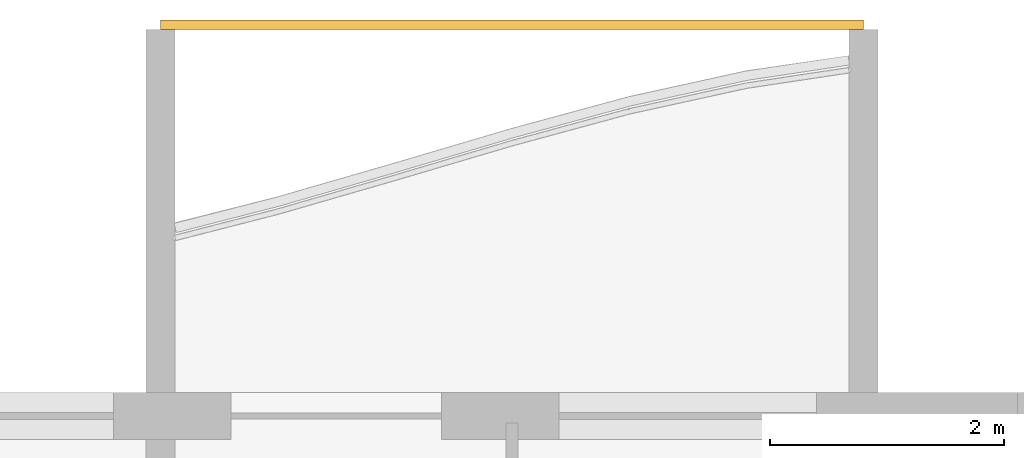
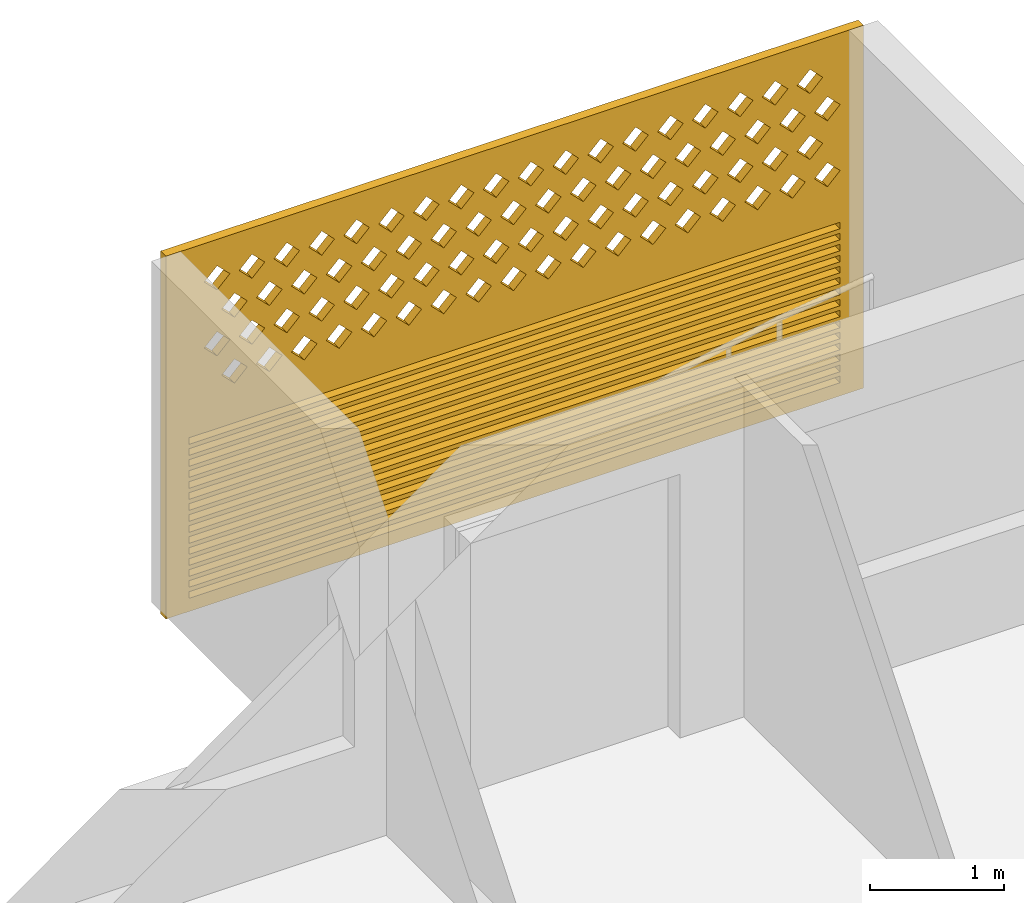
# One storey, part 27 of 27: 1 covering.
"""IFC4 building model written with IfcOpenShell, lengths in metres."""

from ifc_helpers import new_model, si_unit, direction, frame, origin, place, context, subcontext, project, spatial, polyline, outline, extrude, source, transform, mapped, material, material_profile, profile_set, type_object, element, save


model = new_model("IFC4")

# Units and contexts
model_context = context("Model", 3, precision=1e-05, world=origin(), true_north=direction((0.0, 1.0)))
body_context = subcontext(model_context, "Body", "Model", "MODEL_VIEW")
ifc_project = project(units=[si_unit("LENGTHUNIT", "METRE"), si_unit("AREAUNIT", "SQUARE_METRE"), si_unit("VOLUMEUNIT", "CUBIC_METRE"), si_unit("PLANEANGLEUNIT", "RADIAN"), si_unit("MASSUNIT", "GRAM", prefix="KILO")], contexts=[model_context])

# Site, building, storey
site_placement = place(None, origin())
site = spatial("IfcSite", under=ifc_project, at=site_placement, CompositionType="ELEMENT")
building_placement = place(site_placement, origin())
building = spatial("IfcBuilding", under=site, at=building_placement, Name="Poui Terraces", CompositionType="ELEMENT")
storey_placement = place(building_placement, frame((0.0, 0.0, 208.199951171875)))
storey = spatial("IfcBuildingStorey", under=building, at=storey_placement, Name="L58", CompositionType="ELEMENT", Elevation=208.199951171875)

# Covering
ifc_material = material(Name="Terracotta screen", Category="masonry")
ifc_material_profile = material_profile(ifc_material, outline(polyline([(-3.0, -1.64990234375), (3.0, -1.64990234375), (3.0, 1.64990234375), (-3.0, 1.64990234375), (-3.0, -1.64990234375)]), holes=[polyline([(-2.800048828125, 0.39990234375), (-2.68994140625, 0.2900390625), (-2.580078125, 0.39990234375), (-2.68994140625, 0.510009765625), (-2.800048828125, 0.39990234375)]), polyline([(-2.5, 0.39990234375), (-2.389892578125, 0.2900390625), (-2.280029296875, 0.39990234375), (-2.389892578125, 0.510009765625), (-2.5, 0.39990234375)]), polyline([(-2.199951171875, 0.39990234375), (-2.090087890625, 0.2900390625), (-1.97998046875, 0.39990234375), (-2.090087890625, 0.510009765625), (-2.199951171875, 0.39990234375)]), polyline([(-1.89990234375, 0.39990234375), (-1.7900390625, 0.2900390625), (-1.679931640625, 0.39990234375), (-1.7900390625, 0.510009765625), (-1.89990234375, 0.39990234375)]), polyline([(-1.60009765625, 0.39990234375), (-1.489990234375, 0.2900390625), (-1.3798828125, 0.39990234375), (-1.489990234375, 0.510009765625), (-1.60009765625, 0.39990234375)]), polyline([(-1.300048828125, 0.39990234375), (-1.18994140625, 0.2900390625), (-1.080078125, 0.39990234375), (-1.18994140625, 0.510009765625), (-1.300048828125, 0.39990234375)]), polyline([(-1.0, 0.39990234375), (-0.889892578125, 0.2900390625), (-0.780029296875, 0.39990234375), (-0.889892578125, 0.510009765625), (-1.0, 0.39990234375)]), polyline([(-0.699951171875, 0.39990234375), (-0.590087890625, 0.2900390625), (-0.47998046875, 0.39990234375), (-0.590087890625, 0.510009765625), (-0.699951171875, 0.39990234375)]), polyline([(-0.39990234375, 0.39990234375), (-0.2900390625, 0.2900390625), (-0.179931640625, 0.39990234375), (-0.2900390625, 0.510009765625), (-0.39990234375, 0.39990234375)]), polyline([(-0.10009765625, 0.39990234375), (0.010009765625, 0.2900390625), (0.1201171875, 0.39990234375), (0.010009765625, 0.510009765625), (-0.10009765625, 0.39990234375)]), polyline([(0.199951171875, 0.39990234375), (0.31005859375, 0.2900390625), (0.419921875, 0.39990234375), (0.31005859375, 0.510009765625), (0.199951171875, 0.39990234375)]), polyline([(0.5, 0.39990234375), (0.610107421875, 0.2900390625), (0.719970703125, 0.39990234375), (0.610107421875, 0.510009765625), (0.5, 0.39990234375)]), polyline([(0.800048828125, 0.39990234375), (0.909912109375, 0.2900390625), (1.02001953125, 0.39990234375), (0.909912109375, 0.510009765625), (0.800048828125, 0.39990234375)]), polyline([(1.10009765625, 0.39990234375), (1.2099609375, 0.2900390625), (1.320068359375, 0.39990234375), (1.2099609375, 0.510009765625), (1.10009765625, 0.39990234375)]), polyline([(1.39990234375, 0.39990234375), (1.510009765625, 0.2900390625), (1.6201171875, 0.39990234375), (1.510009765625, 0.510009765625), (1.39990234375, 0.39990234375)]), polyline([(1.699951171875, 0.39990234375), (1.81005859375, 0.2900390625), (1.919921875, 0.39990234375), (1.81005859375, 0.510009765625), (1.699951171875, 0.39990234375)]), polyline([(2.0, 0.39990234375), (2.110107421875, 0.2900390625), (2.219970703125, 0.39990234375), (2.110107421875, 0.510009765625), (2.0, 0.39990234375)]), polyline([(2.300048828125, 0.39990234375), (2.409912109375, 0.2900390625), (2.52001953125, 0.39990234375), (2.409912109375, 0.510009765625), (2.300048828125, 0.39990234375)]), polyline([(-2.64990234375, 0.699951171875), (-2.5400390625, 0.590087890625), (-2.429931640625, 0.699951171875), (-2.5400390625, 0.81005859375), (-2.64990234375, 0.699951171875)]), polyline([(-2.35009765625, 0.699951171875), (-2.239990234375, 0.590087890625), (-2.1298828125, 0.699951171875), (-2.239990234375, 0.81005859375), (-2.35009765625, 0.699951171875)]), polyline([(-2.050048828125, 0.699951171875), (-1.93994140625, 0.590087890625), (-1.830078125, 0.699951171875), (-1.93994140625, 0.81005859375), (-2.050048828125, 0.699951171875)]), polyline([(-1.75, 0.699951171875), (-1.639892578125, 0.590087890625), (-1.530029296875, 0.699951171875), (-1.639892578125, 0.81005859375), (-1.75, 0.699951171875)]), polyline([(-1.449951171875, 0.699951171875), (-1.340087890625, 0.590087890625), (-1.22998046875, 0.699951171875), (-1.340087890625, 0.81005859375), (-1.449951171875, 0.699951171875)]), polyline([(-1.14990234375, 0.699951171875), (-1.0400390625, 0.590087890625), (-0.929931640625, 0.699951171875), (-1.0400390625, 0.81005859375), (-1.14990234375, 0.699951171875)]), polyline([(-0.85009765625, 0.699951171875), (-0.739990234375, 0.590087890625), (-0.6298828125, 0.699951171875), (-0.739990234375, 0.81005859375), (-0.85009765625, 0.699951171875)]), polyline([(-0.550048828125, 0.699951171875), (-0.43994140625, 0.590087890625), (-0.330078125, 0.699951171875), (-0.43994140625, 0.81005859375), (-0.550048828125, 0.699951171875)]), polyline([(-0.25, 0.699951171875), (-0.139892578125, 0.590087890625), (-0.030029296875, 0.699951171875), (-0.139892578125, 0.81005859375), (-0.25, 0.699951171875)]), polyline([(0.050048828125, 0.699951171875), (0.159912109375, 0.590087890625), (0.27001953125, 0.699951171875), (0.159912109375, 0.81005859375), (0.050048828125, 0.699951171875)]), polyline([(0.35009765625, 0.699951171875), (0.4599609375, 0.590087890625), (0.570068359375, 0.699951171875), (0.4599609375, 0.81005859375), (0.35009765625, 0.699951171875)]), polyline([(0.64990234375, 0.699951171875), (0.760009765625, 0.590087890625), (0.8701171875, 0.699951171875), (0.760009765625, 0.81005859375), (0.64990234375, 0.699951171875)]), polyline([(0.949951171875, 0.699951171875), (1.06005859375, 0.590087890625), (1.169921875, 0.699951171875), (1.06005859375, 0.81005859375), (0.949951171875, 0.699951171875)]), polyline([(1.25, 0.699951171875), (1.360107421875, 0.590087890625), (1.469970703125, 0.699951171875), (1.360107421875, 0.81005859375), (1.25, 0.699951171875)]), polyline([(1.550048828125, 0.699951171875), (1.659912109375, 0.590087890625), (1.77001953125, 0.699951171875), (1.659912109375, 0.81005859375), (1.550048828125, 0.699951171875)]), polyline([(1.85009765625, 0.699951171875), (1.9599609375, 0.590087890625), (2.070068359375, 0.699951171875), (1.9599609375, 0.81005859375), (1.85009765625, 0.699951171875)]), polyline([(2.14990234375, 0.699951171875), (2.260009765625, 0.590087890625), (2.3701171875, 0.699951171875), (2.260009765625, 0.81005859375), (2.14990234375, 0.699951171875)]), polyline([(2.449951171875, 0.699951171875), (2.56005859375, 0.590087890625), (2.669921875, 0.699951171875), (2.56005859375, 0.81005859375), (2.449951171875, 0.699951171875)]), polyline([(-2.800048828125, 1.0), (-2.68994140625, 0.889892578125), (-2.580078125, 1.0), (-2.68994140625, 1.110107421875), (-2.800048828125, 1.0)]), polyline([(-2.5, 1.0), (-2.389892578125, 0.889892578125), (-2.280029296875, 1.0), (-2.389892578125, 1.110107421875), (-2.5, 1.0)]), polyline([(-2.199951171875, 1.0), (-2.090087890625, 0.889892578125), (-1.97998046875, 1.0), (-2.090087890625, 1.110107421875), (-2.199951171875, 1.0)]), polyline([(-1.89990234375, 1.0), (-1.7900390625, 0.889892578125), (-1.679931640625, 1.0), (-1.7900390625, 1.110107421875), (-1.89990234375, 1.0)]), polyline([(-1.60009765625, 1.0), (-1.489990234375, 0.889892578125), (-1.3798828125, 1.0), (-1.489990234375, 1.110107421875), (-1.60009765625, 1.0)]), polyline([(-1.300048828125, 1.0), (-1.18994140625, 0.889892578125), (-1.080078125, 1.0), (-1.18994140625, 1.110107421875), (-1.300048828125, 1.0)]), polyline([(-1.0, 1.0), (-0.889892578125, 0.889892578125), (-0.780029296875, 1.0), (-0.889892578125, 1.110107421875), (-1.0, 1.0)]), polyline([(-0.699951171875, 1.0), (-0.590087890625, 0.889892578125), (-0.47998046875, 1.0), (-0.590087890625, 1.110107421875), (-0.699951171875, 1.0)]), polyline([(-0.39990234375, 1.0), (-0.2900390625, 0.889892578125), (-0.179931640625, 1.0), (-0.2900390625, 1.110107421875), (-0.39990234375, 1.0)]), polyline([(-0.10009765625, 1.0), (0.010009765625, 0.889892578125), (0.1201171875, 1.0), (0.010009765625, 1.110107421875), (-0.10009765625, 1.0)]), polyline([(0.199951171875, 1.0), (0.31005859375, 0.889892578125), (0.419921875, 1.0), (0.31005859375, 1.110107421875), (0.199951171875, 1.0)]), polyline([(0.5, 1.0), (0.610107421875, 0.889892578125), (0.719970703125, 1.0), (0.610107421875, 1.110107421875), (0.5, 1.0)]), polyline([(0.800048828125, 1.0), (0.909912109375, 0.889892578125), (1.02001953125, 1.0), (0.909912109375, 1.110107421875), (0.800048828125, 1.0)]), polyline([(1.10009765625, 1.0), (1.2099609375, 0.889892578125), (1.320068359375, 1.0), (1.2099609375, 1.110107421875), (1.10009765625, 1.0)]), polyline([(1.39990234375, 1.0), (1.510009765625, 0.889892578125), (1.6201171875, 1.0), (1.510009765625, 1.110107421875), (1.39990234375, 1.0)]), polyline([(1.699951171875, 1.0), (1.81005859375, 0.889892578125), (1.919921875, 1.0), (1.81005859375, 1.110107421875), (1.699951171875, 1.0)]), polyline([(2.0, 1.0), (2.110107421875, 0.889892578125), (2.219970703125, 1.0), (2.110107421875, 1.110107421875), (2.0, 1.0)]), polyline([(2.300048828125, 1.0), (2.409912109375, 0.889892578125), (2.52001953125, 1.0), (2.409912109375, 1.110107421875), (2.300048828125, 1.0)]), polyline([(-2.64990234375, 1.300048828125), (-2.5400390625, 1.18994140625), (-2.429931640625, 1.300048828125), (-2.5400390625, 1.409912109375), (-2.64990234375, 1.300048828125)]), polyline([(-2.35009765625, 1.300048828125), (-2.239990234375, 1.18994140625), (-2.1298828125, 1.300048828125), (-2.239990234375, 1.409912109375), (-2.35009765625, 1.300048828125)]), polyline([(-2.050048828125, 1.300048828125), (-1.93994140625, 1.18994140625), (-1.830078125, 1.300048828125), (-1.93994140625, 1.409912109375), (-2.050048828125, 1.300048828125)]), polyline([(-1.75, 1.300048828125), (-1.639892578125, 1.18994140625), (-1.530029296875, 1.300048828125), (-1.639892578125, 1.409912109375), (-1.75, 1.300048828125)]), polyline([(-1.449951171875, 1.300048828125), (-1.340087890625, 1.18994140625), (-1.22998046875, 1.300048828125), (-1.340087890625, 1.409912109375), (-1.449951171875, 1.300048828125)]), polyline([(-1.14990234375, 1.300048828125), (-1.0400390625, 1.18994140625), (-0.929931640625, 1.300048828125), (-1.0400390625, 1.409912109375), (-1.14990234375, 1.300048828125)]), polyline([(-0.85009765625, 1.300048828125), (-0.739990234375, 1.18994140625), (-0.6298828125, 1.300048828125), (-0.739990234375, 1.409912109375), (-0.85009765625, 1.300048828125)]), polyline([(-0.550048828125, 1.300048828125), (-0.43994140625, 1.18994140625), (-0.330078125, 1.300048828125), (-0.43994140625, 1.409912109375), (-0.550048828125, 1.300048828125)]), polyline([(-0.25, 1.300048828125), (-0.139892578125, 1.18994140625), (-0.030029296875, 1.300048828125), (-0.139892578125, 1.409912109375), (-0.25, 1.300048828125)]), polyline([(0.050048828125, 1.300048828125), (0.159912109375, 1.18994140625), (0.27001953125, 1.300048828125), (0.159912109375, 1.409912109375), (0.050048828125, 1.300048828125)]), polyline([(0.35009765625, 1.300048828125), (0.4599609375, 1.18994140625), (0.570068359375, 1.300048828125), (0.4599609375, 1.409912109375), (0.35009765625, 1.300048828125)]), polyline([(0.64990234375, 1.300048828125), (0.760009765625, 1.18994140625), (0.8701171875, 1.300048828125), (0.760009765625, 1.409912109375), (0.64990234375, 1.300048828125)]), polyline([(0.949951171875, 1.300048828125), (1.06005859375, 1.18994140625), (1.169921875, 1.300048828125), (1.06005859375, 1.409912109375), (0.949951171875, 1.300048828125)]), polyline([(1.25, 1.300048828125), (1.360107421875, 1.18994140625), (1.469970703125, 1.300048828125), (1.360107421875, 1.409912109375), (1.25, 1.300048828125)]), polyline([(1.550048828125, 1.300048828125), (1.659912109375, 1.18994140625), (1.77001953125, 1.300048828125), (1.659912109375, 1.409912109375), (1.550048828125, 1.300048828125)]), polyline([(1.85009765625, 1.300048828125), (1.9599609375, 1.18994140625), (2.070068359375, 1.300048828125), (1.9599609375, 1.409912109375), (1.85009765625, 1.300048828125)]), polyline([(2.14990234375, 1.300048828125), (2.260009765625, 1.18994140625), (2.3701171875, 1.300048828125), (2.260009765625, 1.409912109375), (2.14990234375, 1.300048828125)]), polyline([(2.449951171875, 1.300048828125), (2.56005859375, 1.18994140625), (2.669921875, 1.300048828125), (2.56005859375, 1.409912109375), (2.449951171875, 1.300048828125)]), polyline([(-2.800048828125, -1.530029296875), (2.800048828125, -1.530029296875), (2.800048828125, -1.469970703125), (-2.800048828125, -1.469970703125), (-2.800048828125, -1.530029296875)]), polyline([(-2.800048828125, -1.429931640625), (2.800048828125, -1.429931640625), (2.800048828125, -1.3701171875), (-2.800048828125, -1.3701171875), (-2.800048828125, -1.429931640625)]), polyline([(-2.800048828125, -1.330078125), (2.800048828125, -1.330078125), (2.800048828125, -1.27001953125), (-2.800048828125, -1.27001953125), (-2.800048828125, -1.330078125)]), polyline([(-2.800048828125, -1.22998046875), (2.800048828125, -1.22998046875), (2.800048828125, -1.169921875), (-2.800048828125, -1.169921875), (-2.800048828125, -1.22998046875)]), polyline([(-2.800048828125, -1.1298828125), (2.800048828125, -1.1298828125), (2.800048828125, -1.070068359375), (-2.800048828125, -1.070068359375), (-2.800048828125, -1.1298828125)]), polyline([(-2.800048828125, -1.030029296875), (2.800048828125, -1.030029296875), (2.800048828125, -0.969970703125), (-2.800048828125, -0.969970703125), (-2.800048828125, -1.030029296875)]), polyline([(-2.800048828125, -0.929931640625), (2.800048828125, -0.929931640625), (2.800048828125, -0.8701171875), (-2.800048828125, -0.8701171875), (-2.800048828125, -0.929931640625)]), polyline([(-2.800048828125, -0.830078125), (2.800048828125, -0.830078125), (2.800048828125, -0.77001953125), (-2.800048828125, -0.77001953125), (-2.800048828125, -0.830078125)]), polyline([(-2.800048828125, -0.72998046875), (2.800048828125, -0.72998046875), (2.800048828125, -0.669921875), (-2.800048828125, -0.669921875), (-2.800048828125, -0.72998046875)]), polyline([(-2.800048828125, -0.6298828125), (2.800048828125, -0.6298828125), (2.800048828125, -0.570068359375), (-2.800048828125, -0.570068359375), (-2.800048828125, -0.6298828125)]), polyline([(-2.800048828125, -0.530029296875), (2.800048828125, -0.530029296875), (2.800048828125, -0.469970703125), (-2.800048828125, -0.469970703125), (-2.800048828125, -0.530029296875)]), polyline([(-2.800048828125, -0.429931640625), (2.800048828125, -0.429931640625), (2.800048828125, -0.3701171875), (-2.800048828125, -0.3701171875), (-2.800048828125, -0.429931640625)]), polyline([(-2.800048828125, -0.330078125), (2.800048828125, -0.330078125), (2.800048828125, -0.27001953125), (-2.800048828125, -0.27001953125), (-2.800048828125, -0.330078125)]), polyline([(-2.800048828125, -0.22998046875), (2.800048828125, -0.22998046875), (2.800048828125, -0.169921875), (-2.800048828125, -0.169921875), (-2.800048828125, -0.22998046875)]), polyline([(-2.800048828125, -0.1298828125), (2.800048828125, -0.1298828125), (2.800048828125, -0.070068359375), (-2.800048828125, -0.070068359375), (-2.800048828125, -0.1298828125)])]), Name="TERRACOTTA SCREEN AND JALOUSIE LOUVRE 6000X3300")
ifc_profile_set = profile_set([ifc_material_profile], Name="Terracotta screen")
covering_type = type_object("IfcCoveringType", Name="TERRACOTTA SCREEN AND JALOUSIE LOUVRE 6000X3300", PredefinedType="CLADDING", material=ifc_profile_set)
shared_shape = source(origin(), body_context, "Body", "SweptSolid", [
    extrude(outline(polyline([(-3.0, -1.64990234375), (3.0, -1.64990234375), (3.0, 1.64990234375), (-3.0, 1.64990234375), (-3.0, -1.64990234375)]), holes=[polyline([(-2.800048828125, 0.39990234375), (-2.68994140625, 0.2900390625), (-2.580078125, 0.39990234375), (-2.68994140625, 0.510009765625), (-2.800048828125, 0.39990234375)]), polyline([(-2.5, 0.39990234375), (-2.389892578125, 0.2900390625), (-2.280029296875, 0.39990234375), (-2.389892578125, 0.510009765625), (-2.5, 0.39990234375)]), polyline([(-2.199951171875, 0.39990234375), (-2.090087890625, 0.2900390625), (-1.97998046875, 0.39990234375), (-2.090087890625, 0.510009765625), (-2.199951171875, 0.39990234375)]), polyline([(-1.89990234375, 0.39990234375), (-1.7900390625, 0.2900390625), (-1.679931640625, 0.39990234375), (-1.7900390625, 0.510009765625), (-1.89990234375, 0.39990234375)]), polyline([(-1.60009765625, 0.39990234375), (-1.489990234375, 0.2900390625), (-1.3798828125, 0.39990234375), (-1.489990234375, 0.510009765625), (-1.60009765625, 0.39990234375)]), polyline([(-1.300048828125, 0.39990234375), (-1.18994140625, 0.2900390625), (-1.080078125, 0.39990234375), (-1.18994140625, 0.510009765625), (-1.300048828125, 0.39990234375)]), polyline([(-1.0, 0.39990234375), (-0.889892578125, 0.2900390625), (-0.780029296875, 0.39990234375), (-0.889892578125, 0.510009765625), (-1.0, 0.39990234375)]), polyline([(-0.699951171875, 0.39990234375), (-0.590087890625, 0.2900390625), (-0.47998046875, 0.39990234375), (-0.590087890625, 0.510009765625), (-0.699951171875, 0.39990234375)]), polyline([(-0.39990234375, 0.39990234375), (-0.2900390625, 0.2900390625), (-0.179931640625, 0.39990234375), (-0.2900390625, 0.510009765625), (-0.39990234375, 0.39990234375)]), polyline([(-0.10009765625, 0.39990234375), (0.010009765625, 0.2900390625), (0.1201171875, 0.39990234375), (0.010009765625, 0.510009765625), (-0.10009765625, 0.39990234375)]), polyline([(0.199951171875, 0.39990234375), (0.31005859375, 0.2900390625), (0.419921875, 0.39990234375), (0.31005859375, 0.510009765625), (0.199951171875, 0.39990234375)]), polyline([(0.5, 0.39990234375), (0.610107421875, 0.2900390625), (0.719970703125, 0.39990234375), (0.610107421875, 0.510009765625), (0.5, 0.39990234375)]), polyline([(0.800048828125, 0.39990234375), (0.909912109375, 0.2900390625), (1.02001953125, 0.39990234375), (0.909912109375, 0.510009765625), (0.800048828125, 0.39990234375)]), polyline([(1.10009765625, 0.39990234375), (1.2099609375, 0.2900390625), (1.320068359375, 0.39990234375), (1.2099609375, 0.510009765625), (1.10009765625, 0.39990234375)]), polyline([(1.39990234375, 0.39990234375), (1.510009765625, 0.2900390625), (1.6201171875, 0.39990234375), (1.510009765625, 0.510009765625), (1.39990234375, 0.39990234375)]), polyline([(1.699951171875, 0.39990234375), (1.81005859375, 0.2900390625), (1.919921875, 0.39990234375), (1.81005859375, 0.510009765625), (1.699951171875, 0.39990234375)]), polyline([(2.0, 0.39990234375), (2.110107421875, 0.2900390625), (2.219970703125, 0.39990234375), (2.110107421875, 0.510009765625), (2.0, 0.39990234375)]), polyline([(2.300048828125, 0.39990234375), (2.409912109375, 0.2900390625), (2.52001953125, 0.39990234375), (2.409912109375, 0.510009765625), (2.300048828125, 0.39990234375)]), polyline([(-2.64990234375, 0.699951171875), (-2.5400390625, 0.590087890625), (-2.429931640625, 0.699951171875), (-2.5400390625, 0.81005859375), (-2.64990234375, 0.699951171875)]), polyline([(-2.35009765625, 0.699951171875), (-2.239990234375, 0.590087890625), (-2.1298828125, 0.699951171875), (-2.239990234375, 0.81005859375), (-2.35009765625, 0.699951171875)]), polyline([(-2.050048828125, 0.699951171875), (-1.93994140625, 0.590087890625), (-1.830078125, 0.699951171875), (-1.93994140625, 0.81005859375), (-2.050048828125, 0.699951171875)]), polyline([(-1.75, 0.699951171875), (-1.639892578125, 0.590087890625), (-1.530029296875, 0.699951171875), (-1.639892578125, 0.81005859375), (-1.75, 0.699951171875)]), polyline([(-1.449951171875, 0.699951171875), (-1.340087890625, 0.590087890625), (-1.22998046875, 0.699951171875), (-1.340087890625, 0.81005859375), (-1.449951171875, 0.699951171875)]), polyline([(-1.14990234375, 0.699951171875), (-1.0400390625, 0.590087890625), (-0.929931640625, 0.699951171875), (-1.0400390625, 0.81005859375), (-1.14990234375, 0.699951171875)]), polyline([(-0.85009765625, 0.699951171875), (-0.739990234375, 0.590087890625), (-0.6298828125, 0.699951171875), (-0.739990234375, 0.81005859375), (-0.85009765625, 0.699951171875)]), polyline([(-0.550048828125, 0.699951171875), (-0.43994140625, 0.590087890625), (-0.330078125, 0.699951171875), (-0.43994140625, 0.81005859375), (-0.550048828125, 0.699951171875)]), polyline([(-0.25, 0.699951171875), (-0.139892578125, 0.590087890625), (-0.030029296875, 0.699951171875), (-0.139892578125, 0.81005859375), (-0.25, 0.699951171875)]), polyline([(0.050048828125, 0.699951171875), (0.159912109375, 0.590087890625), (0.27001953125, 0.699951171875), (0.159912109375, 0.81005859375), (0.050048828125, 0.699951171875)]), polyline([(0.35009765625, 0.699951171875), (0.4599609375, 0.590087890625), (0.570068359375, 0.699951171875), (0.4599609375, 0.81005859375), (0.35009765625, 0.699951171875)]), polyline([(0.64990234375, 0.699951171875), (0.760009765625, 0.590087890625), (0.8701171875, 0.699951171875), (0.760009765625, 0.81005859375), (0.64990234375, 0.699951171875)]), polyline([(0.949951171875, 0.699951171875), (1.06005859375, 0.590087890625), (1.169921875, 0.699951171875), (1.06005859375, 0.81005859375), (0.949951171875, 0.699951171875)]), polyline([(1.25, 0.699951171875), (1.360107421875, 0.590087890625), (1.469970703125, 0.699951171875), (1.360107421875, 0.81005859375), (1.25, 0.699951171875)]), polyline([(1.550048828125, 0.699951171875), (1.659912109375, 0.590087890625), (1.77001953125, 0.699951171875), (1.659912109375, 0.81005859375), (1.550048828125, 0.699951171875)]), polyline([(1.85009765625, 0.699951171875), (1.9599609375, 0.590087890625), (2.070068359375, 0.699951171875), (1.9599609375, 0.81005859375), (1.85009765625, 0.699951171875)]), polyline([(2.14990234375, 0.699951171875), (2.260009765625, 0.590087890625), (2.3701171875, 0.699951171875), (2.260009765625, 0.81005859375), (2.14990234375, 0.699951171875)]), polyline([(2.449951171875, 0.699951171875), (2.56005859375, 0.590087890625), (2.669921875, 0.699951171875), (2.56005859375, 0.81005859375), (2.449951171875, 0.699951171875)]), polyline([(-2.800048828125, 1.0), (-2.68994140625, 0.889892578125), (-2.580078125, 1.0), (-2.68994140625, 1.110107421875), (-2.800048828125, 1.0)]), polyline([(-2.5, 1.0), (-2.389892578125, 0.889892578125), (-2.280029296875, 1.0), (-2.389892578125, 1.110107421875), (-2.5, 1.0)]), polyline([(-2.199951171875, 1.0), (-2.090087890625, 0.889892578125), (-1.97998046875, 1.0), (-2.090087890625, 1.110107421875), (-2.199951171875, 1.0)]), polyline([(-1.89990234375, 1.0), (-1.7900390625, 0.889892578125), (-1.679931640625, 1.0), (-1.7900390625, 1.110107421875), (-1.89990234375, 1.0)]), polyline([(-1.60009765625, 1.0), (-1.489990234375, 0.889892578125), (-1.3798828125, 1.0), (-1.489990234375, 1.110107421875), (-1.60009765625, 1.0)]), polyline([(-1.300048828125, 1.0), (-1.18994140625, 0.889892578125), (-1.080078125, 1.0), (-1.18994140625, 1.110107421875), (-1.300048828125, 1.0)]), polyline([(-1.0, 1.0), (-0.889892578125, 0.889892578125), (-0.780029296875, 1.0), (-0.889892578125, 1.110107421875), (-1.0, 1.0)]), polyline([(-0.699951171875, 1.0), (-0.590087890625, 0.889892578125), (-0.47998046875, 1.0), (-0.590087890625, 1.110107421875), (-0.699951171875, 1.0)]), polyline([(-0.39990234375, 1.0), (-0.2900390625, 0.889892578125), (-0.179931640625, 1.0), (-0.2900390625, 1.110107421875), (-0.39990234375, 1.0)]), polyline([(-0.10009765625, 1.0), (0.010009765625, 0.889892578125), (0.1201171875, 1.0), (0.010009765625, 1.110107421875), (-0.10009765625, 1.0)]), polyline([(0.199951171875, 1.0), (0.31005859375, 0.889892578125), (0.419921875, 1.0), (0.31005859375, 1.110107421875), (0.199951171875, 1.0)]), polyline([(0.5, 1.0), (0.610107421875, 0.889892578125), (0.719970703125, 1.0), (0.610107421875, 1.110107421875), (0.5, 1.0)]), polyline([(0.800048828125, 1.0), (0.909912109375, 0.889892578125), (1.02001953125, 1.0), (0.909912109375, 1.110107421875), (0.800048828125, 1.0)]), polyline([(1.10009765625, 1.0), (1.2099609375, 0.889892578125), (1.320068359375, 1.0), (1.2099609375, 1.110107421875), (1.10009765625, 1.0)]), polyline([(1.39990234375, 1.0), (1.510009765625, 0.889892578125), (1.6201171875, 1.0), (1.510009765625, 1.110107421875), (1.39990234375, 1.0)]), polyline([(1.699951171875, 1.0), (1.81005859375, 0.889892578125), (1.919921875, 1.0), (1.81005859375, 1.110107421875), (1.699951171875, 1.0)]), polyline([(2.0, 1.0), (2.110107421875, 0.889892578125), (2.219970703125, 1.0), (2.110107421875, 1.110107421875), (2.0, 1.0)]), polyline([(2.300048828125, 1.0), (2.409912109375, 0.889892578125), (2.52001953125, 1.0), (2.409912109375, 1.110107421875), (2.300048828125, 1.0)]), polyline([(-2.64990234375, 1.300048828125), (-2.5400390625, 1.18994140625), (-2.429931640625, 1.300048828125), (-2.5400390625, 1.409912109375), (-2.64990234375, 1.300048828125)]), polyline([(-2.35009765625, 1.300048828125), (-2.239990234375, 1.18994140625), (-2.1298828125, 1.300048828125), (-2.239990234375, 1.409912109375), (-2.35009765625, 1.300048828125)]), polyline([(-2.050048828125, 1.300048828125), (-1.93994140625, 1.18994140625), (-1.830078125, 1.300048828125), (-1.93994140625, 1.409912109375), (-2.050048828125, 1.300048828125)]), polyline([(-1.75, 1.300048828125), (-1.639892578125, 1.18994140625), (-1.530029296875, 1.300048828125), (-1.639892578125, 1.409912109375), (-1.75, 1.300048828125)]), polyline([(-1.449951171875, 1.300048828125), (-1.340087890625, 1.18994140625), (-1.22998046875, 1.300048828125), (-1.340087890625, 1.409912109375), (-1.449951171875, 1.300048828125)]), polyline([(-1.14990234375, 1.300048828125), (-1.0400390625, 1.18994140625), (-0.929931640625, 1.300048828125), (-1.0400390625, 1.409912109375), (-1.14990234375, 1.300048828125)]), polyline([(-0.85009765625, 1.300048828125), (-0.739990234375, 1.18994140625), (-0.6298828125, 1.300048828125), (-0.739990234375, 1.409912109375), (-0.85009765625, 1.300048828125)]), polyline([(-0.550048828125, 1.300048828125), (-0.43994140625, 1.18994140625), (-0.330078125, 1.300048828125), (-0.43994140625, 1.409912109375), (-0.550048828125, 1.300048828125)]), polyline([(-0.25, 1.300048828125), (-0.139892578125, 1.18994140625), (-0.030029296875, 1.300048828125), (-0.139892578125, 1.409912109375), (-0.25, 1.300048828125)]), polyline([(0.050048828125, 1.300048828125), (0.159912109375, 1.18994140625), (0.27001953125, 1.300048828125), (0.159912109375, 1.409912109375), (0.050048828125, 1.300048828125)]), polyline([(0.35009765625, 1.300048828125), (0.4599609375, 1.18994140625), (0.570068359375, 1.300048828125), (0.4599609375, 1.409912109375), (0.35009765625, 1.300048828125)]), polyline([(0.64990234375, 1.300048828125), (0.760009765625, 1.18994140625), (0.8701171875, 1.300048828125), (0.760009765625, 1.409912109375), (0.64990234375, 1.300048828125)]), polyline([(0.949951171875, 1.300048828125), (1.06005859375, 1.18994140625), (1.169921875, 1.300048828125), (1.06005859375, 1.409912109375), (0.949951171875, 1.300048828125)]), polyline([(1.25, 1.300048828125), (1.360107421875, 1.18994140625), (1.469970703125, 1.300048828125), (1.360107421875, 1.409912109375), (1.25, 1.300048828125)]), polyline([(1.550048828125, 1.300048828125), (1.659912109375, 1.18994140625), (1.77001953125, 1.300048828125), (1.659912109375, 1.409912109375), (1.550048828125, 1.300048828125)]), polyline([(1.85009765625, 1.300048828125), (1.9599609375, 1.18994140625), (2.070068359375, 1.300048828125), (1.9599609375, 1.409912109375), (1.85009765625, 1.300048828125)]), polyline([(2.14990234375, 1.300048828125), (2.260009765625, 1.18994140625), (2.3701171875, 1.300048828125), (2.260009765625, 1.409912109375), (2.14990234375, 1.300048828125)]), polyline([(2.449951171875, 1.300048828125), (2.56005859375, 1.18994140625), (2.669921875, 1.300048828125), (2.56005859375, 1.409912109375), (2.449951171875, 1.300048828125)]), polyline([(-2.800048828125, -1.530029296875), (2.800048828125, -1.530029296875), (2.800048828125, -1.469970703125), (-2.800048828125, -1.469970703125), (-2.800048828125, -1.530029296875)]), polyline([(-2.800048828125, -1.429931640625), (2.800048828125, -1.429931640625), (2.800048828125, -1.3701171875), (-2.800048828125, -1.3701171875), (-2.800048828125, -1.429931640625)]), polyline([(-2.800048828125, -1.330078125), (2.800048828125, -1.330078125), (2.800048828125, -1.27001953125), (-2.800048828125, -1.27001953125), (-2.800048828125, -1.330078125)]), polyline([(-2.800048828125, -1.22998046875), (2.800048828125, -1.22998046875), (2.800048828125, -1.169921875), (-2.800048828125, -1.169921875), (-2.800048828125, -1.22998046875)]), polyline([(-2.800048828125, -1.1298828125), (2.800048828125, -1.1298828125), (2.800048828125, -1.070068359375), (-2.800048828125, -1.070068359375), (-2.800048828125, -1.1298828125)]), polyline([(-2.800048828125, -1.030029296875), (2.800048828125, -1.030029296875), (2.800048828125, -0.969970703125), (-2.800048828125, -0.969970703125), (-2.800048828125, -1.030029296875)]), polyline([(-2.800048828125, -0.929931640625), (2.800048828125, -0.929931640625), (2.800048828125, -0.8701171875), (-2.800048828125, -0.8701171875), (-2.800048828125, -0.929931640625)]), polyline([(-2.800048828125, -0.830078125), (2.800048828125, -0.830078125), (2.800048828125, -0.77001953125), (-2.800048828125, -0.77001953125), (-2.800048828125, -0.830078125)]), polyline([(-2.800048828125, -0.72998046875), (2.800048828125, -0.72998046875), (2.800048828125, -0.669921875), (-2.800048828125, -0.669921875), (-2.800048828125, -0.72998046875)]), polyline([(-2.800048828125, -0.6298828125), (2.800048828125, -0.6298828125), (2.800048828125, -0.570068359375), (-2.800048828125, -0.570068359375), (-2.800048828125, -0.6298828125)]), polyline([(-2.800048828125, -0.530029296875), (2.800048828125, -0.530029296875), (2.800048828125, -0.469970703125), (-2.800048828125, -0.469970703125), (-2.800048828125, -0.530029296875)]), polyline([(-2.800048828125, -0.429931640625), (2.800048828125, -0.429931640625), (2.800048828125, -0.3701171875), (-2.800048828125, -0.3701171875), (-2.800048828125, -0.429931640625)]), polyline([(-2.800048828125, -0.330078125), (2.800048828125, -0.330078125), (2.800048828125, -0.27001953125), (-2.800048828125, -0.27001953125), (-2.800048828125, -0.330078125)]), polyline([(-2.800048828125, -0.22998046875), (2.800048828125, -0.22998046875), (2.800048828125, -0.169921875), (-2.800048828125, -0.169921875), (-2.800048828125, -0.22998046875)]), polyline([(-2.800048828125, -0.1298828125), (2.800048828125, -0.1298828125), (2.800048828125, -0.070068359375), (-2.800048828125, -0.070068359375), (-2.800048828125, -0.1298828125)])]), origin(), (0.0, 0.0, 1.0), 0.080078125),
])
covering_placement = place(storey_placement, frame((75.0, 44.5, 1.449951171875), z_axis=(0.0, 1.0, 0.0), x_axis=(-1.0, 0.0, 0.0)))
element("IfcCovering", 1, at=covering_placement, inside=storey, type_object=covering_type, Name="SOLAR SCREEN AND JALOUSIE LOUVRE", PredefinedType="CLADDING", context=body_context, shape_type="MappedRepresentation", body=[
    mapped(shared_shape, transform((0.0, 0.0, 0.0))),
])

save(model, "model.ifc")
